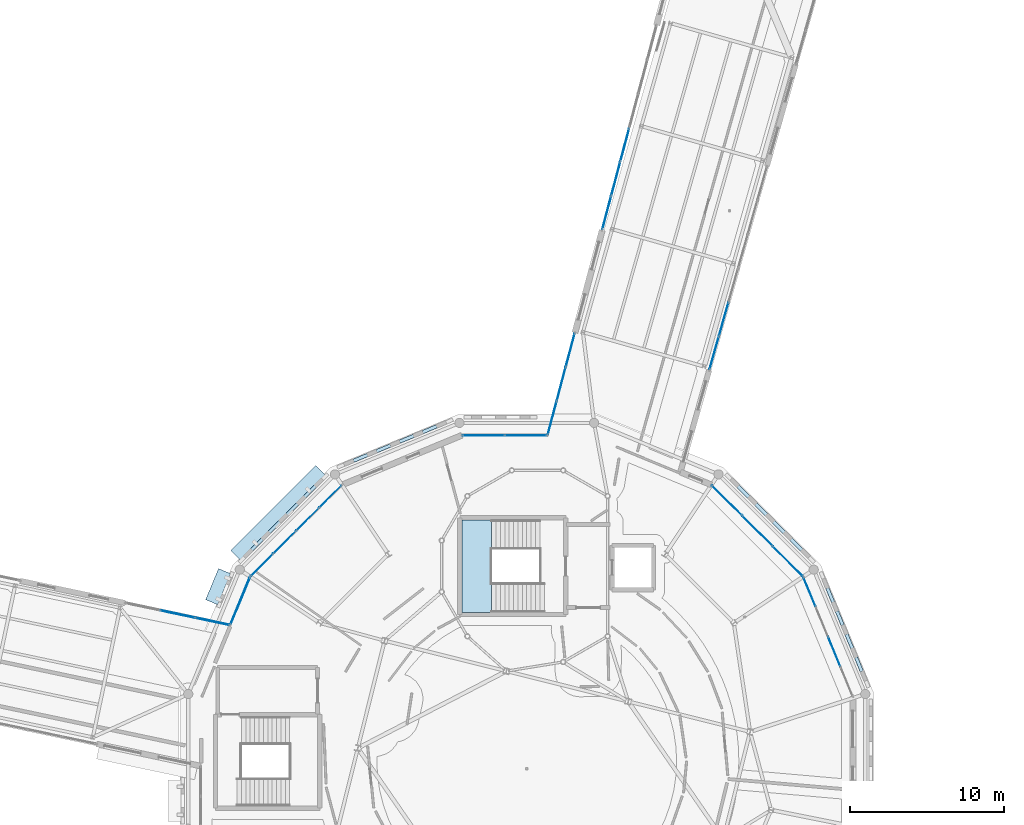
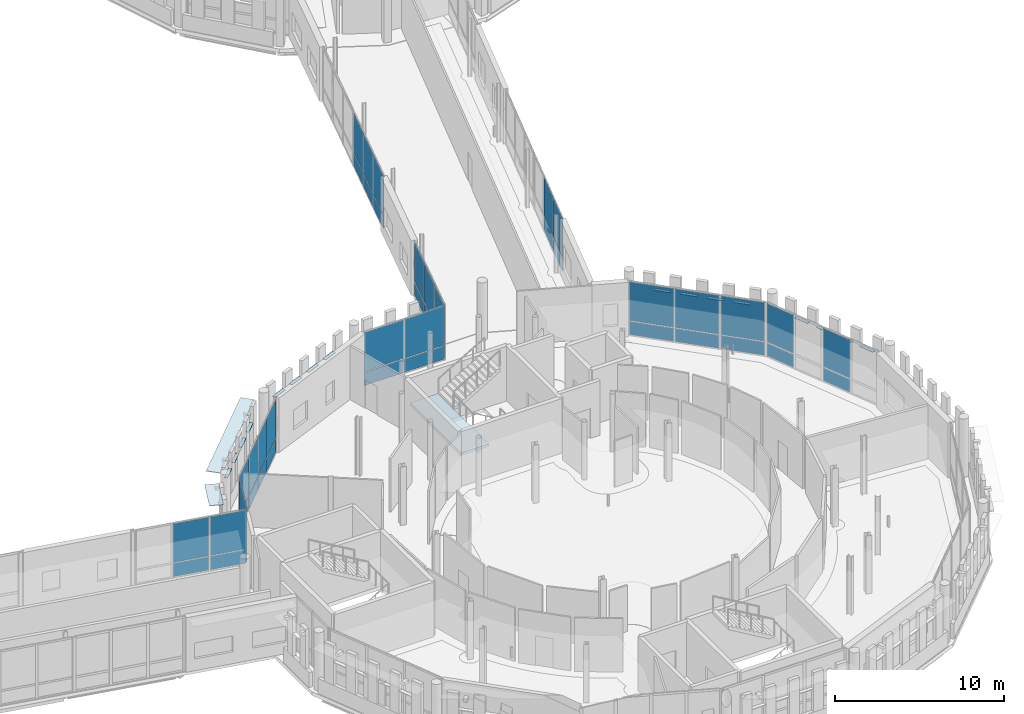
# One storey, part 80 of 125: 62 plates, 1 slab, 10 elements without a shape of their own.
"""IFC4 building model written with IfcOpenShell, lengths in metres."""

from ifc_helpers import new_model, si_unit, direction, frame, origin, origin_2d, place, context, subcontext, project, spatial, polyline, rectangle, outline, extrude, material, layer, layer_set, type_object, element, aggregate, save


model = new_model("IFC4")

# Units and contexts
model_context = context("Model", 3, precision=1e-05, world=origin(), true_north=direction((0.0, 1.0)))
body_context = subcontext(model_context, "Body", "Model", "MODEL_VIEW")
ifc_project = project(units=[si_unit("LENGTHUNIT", "METRE"), si_unit("AREAUNIT", "SQUARE_METRE"), si_unit("VOLUMEUNIT", "CUBIC_METRE"), si_unit("PLANEANGLEUNIT", "RADIAN"), si_unit("MASSUNIT", "GRAM", prefix="KILO")], contexts=[model_context])

# Site, building, storey
site_placement = place(None, origin())
site = spatial("IfcSite", under=ifc_project, at=site_placement, CompositionType="ELEMENT")
building_placement = place(site_placement, origin())
building = spatial("IfcBuilding", under=site, at=building_placement, Name="Wrenclough Park School", CompositionType="ELEMENT")
storey_placement = place(building_placement, frame((0.0, 0.0, 4.199951171875)))
storey = spatial("IfcBuildingStorey", under=building, at=storey_placement, Name="L01", CompositionType="ELEMENT", Elevation=4.199951171875)

# Curtain wall, plates
ifc_material_1 = material(Name="Thermally broken aluminium and low-e glass curtain wall", Category="aluminium")
curtain_wall_type_1 = type_object("IfcCurtainWallType", Name="ENV-CW-13", PredefinedType="USERDEFINED", material=ifc_material_1)
curtain_wall_1_placement = place(storey_placement, origin())
curtain_wall_1 = element("IfcCurtainWall", 1, at=curtain_wall_1_placement, inside=storey, type_object=curtain_wall_type_1, Name="L01 recessed curtain wall assembly 124", ObjectType="CURTAIN WALL", PredefinedType="USERDEFINED")
ifc_material_2 = material(Name="Double-glazed solar-control low-e glass", Category="glass")
ifc_layer_1 = layer(ifc_material_2, 0.02587890625)
ifc_layer_set_1 = layer_set([ifc_layer_1], Name="Double-glazed solar-control low-e glass")
plate_type_1 = type_object("IfcPlateType", Name="ENV-CWP-GL26", PredefinedType="CURTAIN_PANEL", material=ifc_layer_set_1)
plate_1_placement = place(storey_placement, frame((173.893798828125, 37.523193359375, 0.06494140625), z_axis=(0.0, 0.0, 1.0), x_axis=(0.382686670549, -0.923878191205, 0.0)))
plate_1 = element("IfcPlate", 2, at=plate_1_placement, type_object=plate_type_1, Name="CW-13 panel 1.1", PredefinedType="CURTAIN_PANEL", context=body_context, shape_type="SweptSolid", body=[
    extrude(rectangle(XDim=2.01025390625, YDim=0.02587890625, at=origin_2d()), origin(), (0.0, 0.0, 1.0), 0.952392578125),
])
plate_2_placement = place(storey_placement, frame((173.893798828125, 37.523193359375, 1.08251953125), z_axis=(0.0, 0.0, 1.0), x_axis=(0.382686670549, -0.923878191205, 0.0)))
plate_2 = element("IfcPlate", 3, at=plate_2_placement, type_object=plate_type_1, Name="CW-13 panel 1.2", PredefinedType="CURTAIN_PANEL", context=body_context, shape_type="SweptSolid", body=[
    extrude(rectangle(XDim=2.01025390625, YDim=0.02587890625, at=origin_2d()), origin(), (0.0, 0.0, 1.0), 2.79248046875),
])
plate_3_placement = place(storey_placement, frame((175.500732421875, 33.643798828125, 0.06494140625), z_axis=(0.0, 0.0, 1.0), x_axis=(0.382686670549, -0.923878191205, 0.0)))
plate_3 = element("IfcPlate", 4, at=plate_3_placement, type_object=plate_type_1, Name="CW-13 panel 3.1", PredefinedType="CURTAIN_PANEL", context=body_context, shape_type="SweptSolid", body=[
    extrude(rectangle(XDim=2.042724609375, YDim=0.02587890625, at=origin_2d()), origin(), (0.0, 0.0, 1.0), 0.952392578125),
])
plate_4_placement = place(storey_placement, frame((175.500732421875, 33.643798828125, 1.08251953125), z_axis=(0.0, 0.0, 1.0), x_axis=(0.382686670549, -0.923878191205, 0.0)))
plate_4 = element("IfcPlate", 5, at=plate_4_placement, type_object=plate_type_1, Name="CW-13 panel 3.2", PredefinedType="CURTAIN_PANEL", context=body_context, shape_type="SweptSolid", body=[
    extrude(rectangle(XDim=2.042724609375, YDim=0.02587890625, at=origin_2d()), origin(), (0.0, 0.0, 1.0), 2.79248046875),
])
aggregate(curtain_wall_1, [plate_1, plate_2, plate_3, plate_4])

curtain_wall_type_2 = type_object("IfcCurtainWallType", Name="ENV-CW-09", PredefinedType="USERDEFINED", material=ifc_material_1)
curtain_wall_2_placement = place(storey_placement, origin())
curtain_wall_2 = element("IfcCurtainWall", 6, at=curtain_wall_2_placement, inside=storey, type_object=curtain_wall_type_2, Name="L01 recessed curtain wall assembly 152", ObjectType="CURTAIN WALL", PredefinedType="USERDEFINED")
plate_5_placement = place(storey_placement, frame((138.277587890625, 39.27587890625, 0.06982421875), z_axis=(0.0, 0.0, 1.0), x_axis=(0.707106781187, 0.707106781187, 0.0)))
plate_5 = element("IfcPlate", 7, at=plate_5_placement, type_object=plate_type_1, Name="CW-09 panel 1.1", PredefinedType="CURTAIN_PANEL", context=body_context, shape_type="SweptSolid", body=[
    extrude(rectangle(XDim=2.002685546875, YDim=0.02587890625, at=origin_2d()), origin(), (0.0, 0.0, 1.0), 0.945068359375),
])
plate_6_placement = place(storey_placement, frame((138.277587890625, 39.27587890625, 1.0849609375), z_axis=(0.0, 0.0, 1.0), x_axis=(0.707106781187, 0.707106781187, 0.0)))
plate_6 = element("IfcPlate", 8, at=plate_6_placement, type_object=plate_type_1, Name="CW-09 panel 1.2", PredefinedType="CURTAIN_PANEL", context=body_context, shape_type="SweptSolid", body=[
    extrude(rectangle(XDim=2.002685546875, YDim=0.02587890625, at=origin_2d()), origin(), (0.0, 0.0, 1.0), 2.784912109375),
])
plate_7_placement = place(storey_placement, frame((139.755615234375, 40.75390625, 0.06982421875), z_axis=(0.0, 0.0, 1.0), x_axis=(0.707106781187, 0.707106781187, 0.0)))
plate_7 = element("IfcPlate", 9, at=plate_7_placement, type_object=plate_type_1, Name="CW-09 panel 2.1", PredefinedType="CURTAIN_PANEL", context=body_context, shape_type="SweptSolid", body=[
    extrude(rectangle(XDim=2.037841796875, YDim=0.02587890625, at=origin_2d()), origin(), (0.0, 0.0, 1.0), 0.945068359375),
])
plate_8_placement = place(storey_placement, frame((139.755615234375, 40.75390625, 1.0849609375), z_axis=(0.0, 0.0, 1.0), x_axis=(0.707106781187, 0.707106781187, 0.0)))
plate_8 = element("IfcPlate", 10, at=plate_8_placement, type_object=plate_type_1, Name="CW-09 panel 2.2", PredefinedType="CURTAIN_PANEL", context=body_context, shape_type="SweptSolid", body=[
    extrude(rectangle(XDim=2.037841796875, YDim=0.02587890625, at=origin_2d()), origin(), (0.0, 0.0, 1.0), 2.784912109375),
])
plate_9_placement = place(storey_placement, frame((141.24609375, 42.244384765625, 0.06982421875), z_axis=(0.0, 0.0, 1.0), x_axis=(0.707106781187, 0.707106781187, 0.0)))
plate_9 = element("IfcPlate", 11, at=plate_9_placement, type_object=plate_type_1, Name="CW-09 panel 3.1", PredefinedType="CURTAIN_PANEL", context=body_context, shape_type="SweptSolid", body=[
    extrude(rectangle(XDim=2.037841796875, YDim=0.02587890625, at=origin_2d()), origin(), (0.0, 0.0, 1.0), 0.945068359375),
])
plate_10_placement = place(storey_placement, frame((141.24609375, 42.244384765625, 1.0849609375), z_axis=(0.0, 0.0, 1.0), x_axis=(0.707106781187, 0.707106781187, 0.0)))
plate_10 = element("IfcPlate", 12, at=plate_10_placement, type_object=plate_type_1, Name="CW-09 panel 3.2", PredefinedType="CURTAIN_PANEL", context=body_context, shape_type="SweptSolid", body=[
    extrude(rectangle(XDim=2.037841796875, YDim=0.02587890625, at=origin_2d()), origin(), (0.0, 0.0, 1.0), 2.784912109375),
])
plate_11_placement = place(storey_placement, frame((142.72412109375, 43.722412109375, 0.06982421875), z_axis=(0.0, 0.0, 1.0), x_axis=(0.707106781187, 0.707106781187, 0.0)))
plate_11 = element("IfcPlate", 13, at=plate_11_placement, type_object=plate_type_1, Name="CW-09 panel 4.1", PredefinedType="CURTAIN_PANEL", context=body_context, shape_type="SweptSolid", body=[
    extrude(rectangle(XDim=2.002685546875, YDim=0.02587890625, at=origin_2d()), origin(), (0.0, 0.0, 1.0), 0.945068359375),
])
plate_12_placement = place(storey_placement, frame((142.72412109375, 43.722412109375, 1.0849609375), z_axis=(0.0, 0.0, 1.0), x_axis=(0.707106781187, 0.707106781187, 0.0)))
plate_12 = element("IfcPlate", 14, at=plate_12_placement, type_object=plate_type_1, Name="CW-09 panel 4.2", PredefinedType="CURTAIN_PANEL", context=body_context, shape_type="SweptSolid", body=[
    extrude(rectangle(XDim=2.002685546875, YDim=0.02587890625, at=origin_2d()), origin(), (0.0, 0.0, 1.0), 2.784912109375),
])
aggregate(curtain_wall_2, [plate_5, plate_6, plate_7, plate_8, plate_9, plate_10, plate_11, plate_12])

curtain_wall_type_3 = type_object("IfcCurtainWallType", Name="ENV-CW-10", PredefinedType="USERDEFINED", material=ifc_material_1)
curtain_wall_3_placement = place(storey_placement, origin())
curtain_wall_3 = element("IfcCurtainWall", 15, at=curtain_wall_3_placement, inside=storey, type_object=curtain_wall_type_3, Name="L01 recessed curtain wall assembly 153", ObjectType="CURTAIN WALL", PredefinedType="USERDEFINED")
ifc_material_3 = material(Name="Double-glazed acoustic low-e glass", Category="glass")
ifc_layer_2 = layer(ifc_material_3, 0.030029296875)
ifc_layer_set_2 = layer_set([ifc_layer_2], Name="Double-glazed acoustic low-e glass")
plate_type_2 = type_object("IfcPlateType", Name="ENV-CWP-GL30", PredefinedType="CURTAIN_PANEL", material=ifc_layer_set_2)
plate_13_placement = place(storey_placement, frame((152.692138671875, 47.712158203125, 0.06005859375), z_axis=(0.0, 0.0, 1.0), x_axis=(1.0, 0.0, 0.0)))
plate_13 = element("IfcPlate", 16, at=plate_13_placement, type_object=plate_type_2, Name="CW-10 panel 1.1", PredefinedType="CURTAIN_PANEL", context=body_context, shape_type="SweptSolid", body=[
    extrude(rectangle(XDim=2.695068359375, YDim=0.030029296875, at=origin_2d()), origin(), (0.0, 0.0, 1.0), 0.9599609375),
])
plate_14_placement = place(storey_placement, frame((152.692138671875, 47.712158203125, 1.080078125), z_axis=(0.0, 0.0, 1.0), x_axis=(1.0, 0.0, 0.0)))
plate_14 = element("IfcPlate", 17, at=plate_14_placement, type_object=plate_type_2, Name="CW-10 panel 1.2", PredefinedType="CURTAIN_PANEL", context=body_context, shape_type="SweptSolid", body=[
    extrude(rectangle(XDim=2.695068359375, YDim=0.030029296875, at=origin_2d()), origin(), (0.0, 0.0, 1.0), 2.800048828125),
])
plate_15_placement = place(storey_placement, frame((155.447265625, 47.712158203125, 0.06005859375), z_axis=(0.0, 0.0, 1.0), x_axis=(1.0, 0.0, 0.0)))
plate_15 = element("IfcPlate", 18, at=plate_15_placement, type_object=plate_type_2, Name="CW-10 panel 2.1", PredefinedType="CURTAIN_PANEL", context=body_context, shape_type="SweptSolid", body=[
    extrude(rectangle(XDim=2.695068359375, YDim=0.030029296875, at=origin_2d()), origin(), (0.0, 0.0, 1.0), 0.9599609375),
])
plate_16_placement = place(storey_placement, frame((155.447265625, 47.712158203125, 1.080078125), z_axis=(0.0, 0.0, 1.0), x_axis=(1.0, 0.0, 0.0)))
plate_16 = element("IfcPlate", 19, at=plate_16_placement, type_object=plate_type_2, Name="CW-10 panel 2.2", PredefinedType="CURTAIN_PANEL", context=body_context, shape_type="SweptSolid", body=[
    extrude(rectangle(XDim=2.695068359375, YDim=0.030029296875, at=origin_2d()), origin(), (0.0, 0.0, 1.0), 2.800048828125),
])
aggregate(curtain_wall_3, [plate_13, plate_14, plate_15, plate_16])

curtain_wall_type_4 = type_object("IfcCurtainWallType", Name="ENV-CW-11", PredefinedType="USERDEFINED", material=ifc_material_1)
curtain_wall_4_placement = place(storey_placement, origin())
curtain_wall_4 = element("IfcCurtainWall", 20, at=curtain_wall_4_placement, inside=storey, type_object=curtain_wall_type_4, Name="L01 recessed curtain wall assembly 122", ObjectType="CURTAIN WALL", PredefinedType="USERDEFINED")
ifc_material_4 = material(Name="Triple-glazed senior-lab low-e glass", Category="glass")
ifc_layer_3 = layer(ifc_material_4, 0.033935546875)
ifc_layer_set_3 = layer_set([ifc_layer_3], Name="Triple-glazed senior-lab low-e glass")
plate_type_3 = type_object("IfcPlateType", Name="ENV-CWP-GL34", PredefinedType="CURTAIN_PANEL", material=ifc_layer_set_3)
plate_17_placement = place(storey_placement, frame((168.31298828125, 55.26171875, 0.06982421875), z_axis=(0.0, 0.0, 1.0), x_axis=(-0.272808842354, -0.96206825929, 0.0)))
plate_17 = element("IfcPlate", 21, at=plate_17_placement, type_object=plate_type_3, Name="CW-11 panel 2.1", PredefinedType="CURTAIN_PANEL", context=body_context, shape_type="SweptSolid", body=[
    extrude(rectangle(XDim=2.2236328125, YDim=0.033935546875, at=origin_2d()), origin(), (0.0, 0.0, 1.0), 0.945068359375),
])
plate_18_placement = place(storey_placement, frame((168.31298828125, 55.26171875, 1.0849609375), z_axis=(0.0, 0.0, 1.0), x_axis=(-0.272808842354, -0.96206825929, 0.0)))
plate_18 = element("IfcPlate", 22, at=plate_18_placement, type_object=plate_type_3, Name="CW-11 panel 2.2", PredefinedType="CURTAIN_PANEL", context=body_context, shape_type="SweptSolid", body=[
    extrude(rectangle(XDim=2.2236328125, YDim=0.033935546875, at=origin_2d()), origin(), (0.0, 0.0, 1.0), 2.784912109375),
])
plate_19_placement = place(storey_placement, frame((167.692138671875, 53.07177734375, 0.06982421875), z_axis=(0.0, 0.0, 1.0), x_axis=(-0.272808842354, -0.96206825929, 0.0)))
plate_19 = element("IfcPlate", 23, at=plate_19_placement, type_object=plate_type_3, Name="CW-11 panel 3.1", PredefinedType="CURTAIN_PANEL", context=body_context, shape_type="SweptSolid", body=[
    extrude(rectangle(XDim=2.188720703125, YDim=0.033935546875, at=origin_2d()), origin(), (0.0, 0.0, 1.0), 0.945068359375),
])
plate_20_placement = place(storey_placement, frame((167.692138671875, 53.07177734375, 1.0849609375), z_axis=(0.0, 0.0, 1.0), x_axis=(-0.272808842354, -0.96206825929, 0.0)))
plate_20 = element("IfcPlate", 24, at=plate_20_placement, type_object=plate_type_3, Name="CW-11 panel 3.2", PredefinedType="CURTAIN_PANEL", context=body_context, shape_type="SweptSolid", body=[
    extrude(rectangle(XDim=2.188720703125, YDim=0.033935546875, at=origin_2d()), origin(), (0.0, 0.0, 1.0), 2.784912109375),
])
aggregate(curtain_wall_4, [plate_17, plate_18, plate_19, plate_20])

curtain_wall_5_placement = place(storey_placement, origin())
curtain_wall_5 = element("IfcCurtainWall", 25, at=curtain_wall_5_placement, inside=storey, type_object=curtain_wall_type_4, Name="L01 recessed curtain wall assembly 154", ObjectType="CURTAIN WALL", PredefinedType="USERDEFINED")
plate_21_placement = place(storey_placement, frame((157.158935546875, 48.842041015625, 0.06494140625), z_axis=(0.0, 0.0, 1.0), x_axis=(0.256896011105, 0.966439051093, 0.0)))
plate_21 = element("IfcPlate", 26, at=plate_21_placement, type_object=plate_type_3, Name="CW-11 panel 1.1", PredefinedType="CURTAIN_PANEL", context=body_context, shape_type="SweptSolid", body=[
    extrude(rectangle(XDim=2.2001953125, YDim=0.033935546875, at=origin_2d()), origin(), (0.0, 0.0, 1.0), 0.952392578125),
])
plate_22_placement = place(storey_placement, frame((157.158935546875, 48.842041015625, 1.08251953125), z_axis=(0.0, 0.0, 1.0), x_axis=(0.256896011105, 0.966439051093, 0.0)))
plate_22 = element("IfcPlate", 27, at=plate_22_placement, type_object=plate_type_3, Name="CW-11 panel 1.2", PredefinedType="CURTAIN_PANEL", context=body_context, shape_type="SweptSolid", body=[
    extrude(rectangle(XDim=2.2001953125, YDim=0.033935546875, at=origin_2d()), origin(), (0.0, 0.0, 1.0), 2.79248046875),
])
plate_23_placement = place(storey_placement, frame((157.7451171875, 51.047119140625, 0.06494140625), z_axis=(0.0, 0.0, 1.0), x_axis=(0.256896011105, 0.966439051093, 0.0)))
plate_23 = element("IfcPlate", 28, at=plate_23_placement, type_object=plate_type_3, Name="CW-11 panel 2.1", PredefinedType="CURTAIN_PANEL", context=body_context, shape_type="SweptSolid", body=[
    extrude(rectangle(XDim=2.23291015625, YDim=0.033935546875, at=origin_2d()), origin(), (0.0, 0.0, 1.0), 0.952392578125),
])
plate_24_placement = place(storey_placement, frame((157.7451171875, 51.047119140625, 1.08251953125), z_axis=(0.0, 0.0, 1.0), x_axis=(0.256896011105, 0.966439051093, 0.0)))
plate_24 = element("IfcPlate", 29, at=plate_24_placement, type_object=plate_type_3, Name="CW-11 panel 2.2", PredefinedType="CURTAIN_PANEL", context=body_context, shape_type="SweptSolid", body=[
    extrude(rectangle(XDim=2.23291015625, YDim=0.033935546875, at=origin_2d()), origin(), (0.0, 0.0, 1.0), 2.79248046875),
])
plate_25_placement = place(storey_placement, frame((158.331298828125, 53.251953125, 0.06494140625), z_axis=(0.0, 0.0, 1.0), x_axis=(0.256896011105, 0.966439051093, 0.0)))
plate_25 = element("IfcPlate", 30, at=plate_25_placement, type_object=plate_type_3, Name="CW-11 panel 3.1", PredefinedType="CURTAIN_PANEL", context=body_context, shape_type="SweptSolid", body=[
    extrude(rectangle(XDim=2.2001953125, YDim=0.033935546875, at=origin_2d()), origin(), (0.0, 0.0, 1.0), 0.952392578125),
])
plate_26_placement = place(storey_placement, frame((158.331298828125, 53.251953125, 1.08251953125), z_axis=(0.0, 0.0, 1.0), x_axis=(0.256896011105, 0.966439051093, 0.0)))
plate_26 = element("IfcPlate", 31, at=plate_26_placement, type_object=plate_type_3, Name="CW-11 panel 3.2", PredefinedType="CURTAIN_PANEL", context=body_context, shape_type="SweptSolid", body=[
    extrude(rectangle(XDim=2.2001953125, YDim=0.033935546875, at=origin_2d()), origin(), (0.0, 0.0, 1.0), 2.79248046875),
])
aggregate(curtain_wall_5, [plate_21, plate_22, plate_23, plate_24, plate_25, plate_26])

curtain_wall_type_5 = type_object("IfcCurtainWallType", Name="ENV-CW-12", PredefinedType="USERDEFINED", material=ifc_material_1)
curtain_wall_6_placement = place(storey_placement, origin())
curtain_wall_6 = element("IfcCurtainWall", 32, at=curtain_wall_6_placement, inside=storey, type_object=curtain_wall_type_5, Name="L01 recessed curtain wall assembly 123", ObjectType="CURTAIN WALL", PredefinedType="USERDEFINED")
ifc_material_5 = material(Name="Laminated sports-concourse safety glass", Category="glass")
ifc_layer_4 = layer(ifc_material_5, 0.0380859375)
ifc_layer_set_4 = layer_set([ifc_layer_4], Name="Laminated sports-concourse safety glass")
plate_type_4 = type_object("IfcPlateType", Name="ENV-CWP-GL38", PredefinedType="CURTAIN_PANEL", material=ifc_layer_set_4)
plate_27_placement = place(storey_placement, frame((168.522705078125, 43.475830078125, 0.06005859375), z_axis=(0.0, 0.0, 1.0), x_axis=(0.707106781187, -0.707106781187, 0.0)))
plate_27 = element("IfcPlate", 33, at=plate_27_placement, type_object=plate_type_4, Name="CW-12 panel 1.1", PredefinedType="CURTAIN_PANEL", context=body_context, shape_type="SweptSolid", body=[
    extrude(rectangle(XDim=2.72021484375, YDim=0.0380859375, at=origin_2d()), origin(), (0.0, 0.0, 1.0), 0.9599609375),
])
plate_28_placement = place(storey_placement, frame((168.522705078125, 43.475830078125, 1.080078125), z_axis=(0.0, 0.0, 1.0), x_axis=(0.707106781187, -0.707106781187, 0.0)))
plate_28 = element("IfcPlate", 34, at=plate_28_placement, type_object=plate_type_4, Name="CW-12 panel 1.2", PredefinedType="CURTAIN_PANEL", context=body_context, shape_type="SweptSolid", body=[
    extrude(rectangle(XDim=2.72021484375, YDim=0.0380859375, at=origin_2d()), origin(), (0.0, 0.0, 1.0), 2.800048828125),
])
plate_29_placement = place(storey_placement, frame((170.499267578125, 41.499267578125, 0.06005859375), z_axis=(0.0, 0.0, 1.0), x_axis=(0.707106781187, -0.707106781187, 0.0)))
plate_29 = element("IfcPlate", 35, at=plate_29_placement, type_object=plate_type_4, Name="CW-12 panel 2.1", PredefinedType="CURTAIN_PANEL", context=body_context, shape_type="SweptSolid", body=[
    extrude(rectangle(XDim=2.750244140625, YDim=0.0380859375, at=origin_2d()), origin(), (0.0, 0.0, 1.0), 0.9599609375),
])
plate_30_placement = place(storey_placement, frame((170.499267578125, 41.499267578125, 1.080078125), z_axis=(0.0, 0.0, 1.0), x_axis=(0.707106781187, -0.707106781187, 0.0)))
plate_30 = element("IfcPlate", 36, at=plate_30_placement, type_object=plate_type_4, Name="CW-12 panel 2.2", PredefinedType="CURTAIN_PANEL", context=body_context, shape_type="SweptSolid", body=[
    extrude(rectangle(XDim=2.750244140625, YDim=0.0380859375, at=origin_2d()), origin(), (0.0, 0.0, 1.0), 2.800048828125),
])
plate_31_placement = place(storey_placement, frame((172.475830078125, 39.522705078125, 0.06005859375), z_axis=(0.0, 0.0, 1.0), x_axis=(0.707106781187, -0.707106781187, 0.0)))
plate_31 = element("IfcPlate", 37, at=plate_31_placement, type_object=plate_type_4, Name="CW-12 panel 3.1", PredefinedType="CURTAIN_PANEL", context=body_context, shape_type="SweptSolid", body=[
    extrude(rectangle(XDim=2.72021484375, YDim=0.0380859375, at=origin_2d()), origin(), (0.0, 0.0, 1.0), 0.9599609375),
])
plate_32_placement = place(storey_placement, frame((172.475830078125, 39.522705078125, 1.080078125), z_axis=(0.0, 0.0, 1.0), x_axis=(0.707106781187, -0.707106781187, 0.0)))
plate_32 = element("IfcPlate", 38, at=plate_32_placement, type_object=plate_type_4, Name="CW-12 panel 3.2", PredefinedType="CURTAIN_PANEL", context=body_context, shape_type="SweptSolid", body=[
    extrude(rectangle(XDim=2.72021484375, YDim=0.0380859375, at=origin_2d()), origin(), (0.0, 0.0, 1.0), 2.800048828125),
])
aggregate(curtain_wall_6, [plate_27, plate_28, plate_29, plate_30, plate_31, plate_32])

curtain_wall_7_placement = place(storey_placement, origin())
curtain_wall_7 = element("IfcCurtainWall", 39, at=curtain_wall_7_placement, inside=storey, type_object=curtain_wall_type_5, Name="L01 recessed curtain wall assembly 155", ObjectType="CURTAIN WALL", PredefinedType="USERDEFINED")
plate_33_placement = place(storey_placement, frame((160.705078125, 62.182861328125, 0.06982421875), z_axis=(0.0, 0.0, 1.0), x_axis=(0.256882461871, 0.96644265261, 0.0)))
plate_33 = element("IfcPlate", 40, at=plate_33_placement, type_object=plate_type_4, Name="CW-12 panel 1.1", PredefinedType="CURTAIN_PANEL", context=body_context, shape_type="SweptSolid", body=[
    extrude(rectangle(XDim=2.19287109375, YDim=0.0380859375, at=origin_2d()), origin(), (0.0, 0.0, 1.0), 0.945068359375),
])
plate_34_placement = place(storey_placement, frame((160.705078125, 62.182861328125, 1.0849609375), z_axis=(0.0, 0.0, 1.0), x_axis=(0.256882461871, 0.96644265261, 0.0)))
plate_34 = element("IfcPlate", 41, at=plate_34_placement, type_object=plate_type_4, Name="CW-12 panel 1.2", PredefinedType="CURTAIN_PANEL", context=body_context, shape_type="SweptSolid", body=[
    extrude(rectangle(XDim=2.19287109375, YDim=0.0380859375, at=origin_2d()), origin(), (0.0, 0.0, 1.0), 2.784912109375),
])
plate_35_placement = place(storey_placement, frame((161.291015625, 64.38671875, 0.06982421875), z_axis=(0.0, 0.0, 1.0), x_axis=(0.256882461871, 0.96644265261, 0.0)))
plate_35 = element("IfcPlate", 42, at=plate_35_placement, type_object=plate_type_4, Name="CW-12 panel 2.1", PredefinedType="CURTAIN_PANEL", context=body_context, shape_type="SweptSolid", body=[
    extrude(rectangle(XDim=2.227783203125, YDim=0.0380859375, at=origin_2d()), origin(), (0.0, 0.0, 1.0), 0.945068359375),
])
plate_36_placement = place(storey_placement, frame((161.291015625, 64.38671875, 1.0849609375), z_axis=(0.0, 0.0, 1.0), x_axis=(0.256882461871, 0.96644265261, 0.0)))
plate_36 = element("IfcPlate", 43, at=plate_36_placement, type_object=plate_type_4, Name="CW-12 panel 2.2", PredefinedType="CURTAIN_PANEL", context=body_context, shape_type="SweptSolid", body=[
    extrude(rectangle(XDim=2.227783203125, YDim=0.0380859375, at=origin_2d()), origin(), (0.0, 0.0, 1.0), 2.784912109375),
])
plate_37_placement = place(storey_placement, frame((161.876708984375, 66.590576171875, 0.06982421875), z_axis=(0.0, 0.0, 1.0), x_axis=(0.256882461871, 0.96644265261, 0.0)))
plate_37 = element("IfcPlate", 44, at=plate_37_placement, type_object=plate_type_4, Name="CW-12 panel 3.1", PredefinedType="CURTAIN_PANEL", context=body_context, shape_type="SweptSolid", body=[
    extrude(rectangle(XDim=2.19287109375, YDim=0.0380859375, at=origin_2d()), origin(), (0.0, 0.0, 1.0), 0.945068359375),
])
plate_38_placement = place(storey_placement, frame((161.876708984375, 66.590576171875, 1.0849609375), z_axis=(0.0, 0.0, 1.0), x_axis=(0.256882461871, 0.96644265261, 0.0)))
plate_38 = element("IfcPlate", 45, at=plate_38_placement, type_object=plate_type_4, Name="CW-12 panel 3.2", PredefinedType="CURTAIN_PANEL", context=body_context, shape_type="SweptSolid", body=[
    extrude(rectangle(XDim=2.19287109375, YDim=0.0380859375, at=origin_2d()), origin(), (0.0, 0.0, 1.0), 2.784912109375),
])
aggregate(curtain_wall_7, [plate_33, plate_34, plate_35, plate_36, plate_37, plate_38])

curtain_wall_type_6 = type_object("IfcCurtainWallType", Name="ENV-CW-07", PredefinedType="USERDEFINED", material=ifc_material_1)
curtain_wall_8_placement = place(storey_placement, origin())
curtain_wall_8 = element("IfcCurtainWall", 46, at=curtain_wall_8_placement, inside=storey, type_object=curtain_wall_type_6, Name="L01 recessed curtain wall assembly 150", ObjectType="CURTAIN WALL", PredefinedType="USERDEFINED")
ifc_material_6 = material(Name="Insulated patinated copper-toned spandrel panel", Category="aluminium")
ifc_layer_5 = layer(ifc_material_6, 0.048095703125)
ifc_layer_set_5 = layer_set([ifc_layer_5], Name="Insulated patinated copper-toned spandrel panel")
plate_type_5 = type_object("IfcPlateType", Name="ENV-CWP-SP48", PredefinedType="CURTAIN_PANEL", material=ifc_layer_set_5)
plate_39_placement = place(storey_placement, frame((132.795654296875, 36.082763671875, 0.06005859375), z_axis=(0.0, 0.0, 1.0), x_axis=(0.978379013086, -0.206819986347, 0.0)))
plate_39 = element("IfcPlate", 47, at=plate_39_placement, type_object=plate_type_5, Name="CW-07 panel 2.1", PredefinedType="CURTAIN_PANEL", context=body_context, shape_type="SweptSolid", body=[
    extrude(rectangle(XDim=2.26416015625, YDim=0.048095703125, at=origin_2d()), origin(), (0.0, 0.0, 1.0), 0.9599609375),
])
plate_40_placement = place(storey_placement, frame((132.795654296875, 36.082763671875, 1.080078125), z_axis=(0.0, 0.0, 1.0), x_axis=(0.978379013086, -0.206819986347, 0.0)))
plate_40 = element("IfcPlate", 48, at=plate_40_placement, type_object=plate_type_5, Name="CW-07 panel 2.2", PredefinedType="CURTAIN_PANEL", context=body_context, shape_type="SweptSolid", body=[
    extrude(rectangle(XDim=2.26416015625, YDim=0.048095703125, at=origin_2d()), origin(), (0.0, 0.0, 1.0), 2.800048828125),
])
plate_41_placement = place(storey_placement, frame((135.054931640625, 35.605224609375, 0.06005859375), z_axis=(0.0, 0.0, 1.0), x_axis=(0.978379013086, -0.206819986347, 0.0)))
plate_41 = element("IfcPlate", 49, at=plate_41_placement, type_object=plate_type_5, Name="CW-07 panel 3.1", PredefinedType="CURTAIN_PANEL", context=body_context, shape_type="SweptSolid", body=[
    extrude(rectangle(XDim=2.234130859375, YDim=0.048095703125, at=origin_2d()), origin(), (0.0, 0.0, 1.0), 0.9599609375),
])
plate_42_placement = place(storey_placement, frame((135.054931640625, 35.605224609375, 1.080078125), z_axis=(0.0, 0.0, 1.0), x_axis=(0.978379013086, -0.206819986347, 0.0)))
plate_42 = element("IfcPlate", 50, at=plate_42_placement, type_object=plate_type_5, Name="CW-07 panel 3.2", PredefinedType="CURTAIN_PANEL", context=body_context, shape_type="SweptSolid", body=[
    extrude(rectangle(XDim=2.234130859375, YDim=0.048095703125, at=origin_2d()), origin(), (0.0, 0.0, 1.0), 2.800048828125),
])
aggregate(curtain_wall_8, [plate_39, plate_40, plate_41, plate_42])

curtain_wall_type_7 = type_object("IfcCurtainWallType", Name="ENV-CW-08", PredefinedType="USERDEFINED", material=ifc_material_1)
curtain_wall_9_placement = place(storey_placement, origin())
curtain_wall_9 = element("IfcCurtainWall", 51, at=curtain_wall_9_placement, inside=storey, type_object=curtain_wall_type_7, Name="L01 recessed curtain wall assembly 151", ObjectType="CURTAIN WALL", PredefinedType="USERDEFINED")
ifc_material_7 = material(Name="Acoustic mineral-wool spandrel cassette", Category="aluminium")
ifc_layer_6 = layer(ifc_material_7, 0.053955078125)
ifc_layer_set_6 = layer_set([ifc_layer_6], Name="Acoustic mineral-wool spandrel cassette")
plate_type_6 = type_object("IfcPlateType", Name="ENV-CWP-SP54", PredefinedType="CURTAIN_PANEL", material=ifc_layer_set_6)
plate_43_placement = place(storey_placement, frame((136.86376953125, 36.938232421875, 0.06494140625), z_axis=(0.0, 0.0, 1.0), x_axis=(0.382719926497, 0.923864415303, 0.0)))
plate_43 = element("IfcPlate", 52, at=plate_43_placement, type_object=plate_type_6, Name="CW-08 panel 1.1", PredefinedType="CURTAIN_PANEL", context=body_context, shape_type="SweptSolid", body=[
    extrude(rectangle(XDim=3.276611328125, YDim=0.053955078125, at=origin_2d()), origin(), (0.0, 0.0, 1.0), 0.952392578125),
])
plate_44_placement = place(storey_placement, frame((136.86376953125, 36.938232421875, 1.08251953125), z_axis=(0.0, 0.0, 1.0), x_axis=(0.382719926497, 0.923864415303, 0.0)))
plate_44 = element("IfcPlate", 53, at=plate_44_placement, type_object=plate_type_6, Name="CW-08 panel 1.2", PredefinedType="CURTAIN_PANEL", context=body_context, shape_type="SweptSolid", body=[
    extrude(rectangle(XDim=3.276611328125, YDim=0.053955078125, at=origin_2d()), origin(), (0.0, 0.0, 1.0), 2.79248046875),
])
aggregate(curtain_wall_9, [plate_43, plate_44])

# Plates
ifc_material_8 = material(Name="Anodised architectural aluminium solar shading fin plate", Category="aluminium")
ifc_layer_7 = layer(ifc_material_8, 0.0380859375)
ifc_layer_set_7 = layer_set([ifc_layer_7], Name="Anodised architectural aluminium solar shading fin plate")
plate_type_7 = type_object("IfcPlateType", Name="ENV-PL-BSF", PredefinedType="SHEET", material=ifc_layer_set_7)
for number, where, z_axis, x_axis, name in (
    (54, (177.10791015625, 32.810546875, 2.72216796875), (0.0, 0.0, 1.0), (-0.382692183809, 0.923875907496, 0.0), "D1 L01 open-bond brick screen tie band 0121"),
    (55, (176.485595703125, 34.312744140625, 2.72216796875), (0.0, 0.0, 1.0), (-0.382692183809, 0.923875907496, 0.0), "D1 L01 open-bond brick screen tie band 0122"),
    (56, (175.863525390625, 35.81494140625, 2.72216796875), (0.0, 0.0, 1.0), (-0.382692183809, 0.923875907496, 0.0), "D1 L01 open-bond brick screen tie band 0123"),
    (57, (175.2412109375, 37.317138671875, 2.72216796875), (0.0, 0.0, 1.0), (-0.382692183809, 0.923875907496, 0.0), "D1 L01 open-bond brick screen tie band 0124"),
):
    element("IfcPlate", number, at=place(storey_placement, frame(where, z_axis=z_axis, x_axis=x_axis)), inside=storey, type_object=plate_type_7, Name=name, PredefinedType="SHEET", context=body_context, shape_type="SweptSolid", body=[
        extrude(rectangle(XDim=0.992919921875, YDim=0.219970703125, at=origin_2d()), origin(), (0.0, 0.0, 1.0), 0.0419921875),
    ])
for number, where, z_axis, x_axis, name in (
    (58, (173.04833984375, 40.59912109375, 2.72216796875), (0.0, 0.0, 1.0), (-0.707106781187, 0.707106781187, 0.0), "D1 L01 open-bond brick screen tie band 0125"),
    (59, (171.898681640625, 41.74853515625, 2.72216796875), (0.0, 0.0, 1.0), (-0.707106781187, 0.707106781187, 0.0), "D1 L01 open-bond brick screen tie band 0126"),
    (60, (170.7490234375, 42.898193359375, 2.72216796875), (0.0, 0.0, 1.0), (-0.707106781187, 0.707106781187, 0.0), "D1 L01 open-bond brick screen tie band 0127"),
    (61, (169.599609375, 44.0478515625, 2.72216796875), (0.0, 0.0, 1.0), (-0.707106781187, 0.707106781187, 0.0), "D1 L01 open-bond brick screen tie band 0128"),
):
    element("IfcPlate", number, at=place(storey_placement, frame(where, z_axis=z_axis, x_axis=x_axis)), inside=storey, type_object=plate_type_7, Name=name, PredefinedType="SHEET", context=body_context, shape_type="SweptSolid", body=[
        extrude(rectangle(XDim=0.99267578125, YDim=0.219970703125, at=origin_2d()), origin(), (0.0, 0.0, 1.0), 0.0419921875),
    ])
plate_45_placement = place(storey_placement, frame((149.189208984375, 48.10791015625, 2.72216796875), z_axis=(0.0, 0.0, 1.0), x_axis=(-0.923876962826, -0.382689636076, 0.0)))
element("IfcPlate", 62, at=plate_45_placement, inside=storey, type_object=plate_type_7, Name="D1 L01 open-bond brick screen tie band 0131", PredefinedType="SHEET", context=body_context, shape_type="SweptSolid", body=[
    extrude(rectangle(XDim=0.9931640625, YDim=0.219970703125, at=origin_2d()), origin(), (0.0, 0.0, 1.0), 0.0419921875),
])
for number, where, z_axis, x_axis, name in (
    (63, (147.68701171875, 47.485595703125, 2.72216796875), (0.0, 0.0, 1.0), (-0.923876962826, -0.382689636076, 0.0), "D1 L01 open-bond brick screen tie band 0132"),
    (64, (146.184814453125, 46.863525390625, 2.72216796875), (0.0, 0.0, 1.0), (-0.923876962826, -0.382689636076, 0.0), "D1 L01 open-bond brick screen tie band 0133"),
):
    element("IfcPlate", number, at=place(storey_placement, frame(where, z_axis=z_axis, x_axis=x_axis)), inside=storey, type_object=plate_type_7, Name=name, PredefinedType="SHEET", context=body_context, shape_type="SweptSolid", body=[
        extrude(rectangle(XDim=0.992919921875, YDim=0.219970703125, at=origin_2d()), origin(), (0.0, 0.0, 1.0), 0.0419921875),
    ])
plate_46_placement = place(storey_placement, frame((144.6826171875, 46.2412109375, 2.72216796875), z_axis=(0.0, 0.0, 1.0), x_axis=(-0.923876962826, -0.382689636076, 0.0)))
element("IfcPlate", 65, at=plate_46_placement, inside=storey, type_object=plate_type_7, Name="D1 L01 open-bond brick screen tie band 0134", PredefinedType="SHEET", context=body_context, shape_type="SweptSolid", body=[
    extrude(rectangle(XDim=0.9931640625, YDim=0.219970703125, at=origin_2d()), origin(), (0.0, 0.0, 1.0), 0.0419921875),
])
for number, where, z_axis, x_axis, name in (
    (66, (141.400390625, 44.0478515625, 2.72216796875), (0.0, 0.0, 1.0), (-0.707106781187, -0.707106781187, 0.0), "D1 L01 open-bond brick screen tie band 0135"),
    (67, (140.2509765625, 42.898193359375, 2.72216796875), (0.0, 0.0, 1.0), (-0.707106781187, -0.707106781187, 0.0), "D1 L01 open-bond brick screen tie band 0136"),
    (68, (139.101318359375, 41.74853515625, 2.72216796875), (0.0, 0.0, 1.0), (-0.707106781187, -0.707106781187, 0.0), "D1 L01 open-bond brick screen tie band 0137"),
    (69, (137.95166015625, 40.59912109375, 2.72216796875), (0.0, 0.0, 1.0), (-0.707106781187, -0.707106781187, 0.0), "D1 L01 open-bond brick screen tie band 0138"),
):
    element("IfcPlate", number, at=place(storey_placement, frame(where, z_axis=z_axis, x_axis=x_axis)), inside=storey, type_object=plate_type_7, Name=name, PredefinedType="SHEET", context=body_context, shape_type="SweptSolid", body=[
        extrude(rectangle(XDim=0.99267578125, YDim=0.219970703125, at=origin_2d()), origin(), (0.0, 0.0, 1.0), 0.0419921875),
    ])
plate_47_placement = place(storey_placement, frame((139.310302734375, 42.689208984375, 3.700927734375), z_axis=(0.0, 0.0, 1.0), x_axis=(-0.707106781187, -0.707106781187, 0.0)))
element("IfcPlate", 70, at=plate_47_placement, inside=storey, type_object=plate_type_7, Name="D1 L01 sun-side projecting brise-soleil blade 0001", PredefinedType="SHEET", context=body_context, shape_type="SweptSolid", body=[
    extrude(rectangle(XDim=7.828857421875, YDim=0.85009765625, at=origin_2d()), origin(), (0.0, 0.0, 1.0), 0.0380859375),
])
plate_48_placement = place(storey_placement, frame((135.42626953125, 37.86669921875, 3.700927734375), z_axis=(0.0, 0.0, 1.0), x_axis=(-0.382679144648, -0.92388130853, 0.0)))
element("IfcPlate", 71, at=plate_48_placement, inside=storey, type_object=plate_type_7, Name="D1 L01 sun-side projecting brise-soleil blade 0002", PredefinedType="SHEET", context=body_context, shape_type="SweptSolid", body=[
    extrude(rectangle(XDim=2.191162109375, YDim=0.85009765625, at=origin_2d()), origin(), (0.0, 0.0, 1.0), 0.0380859375),
])

# Stair, slab
ifc_material_9 = material(Name="Precast concrete C40/50", Category="concrete")
stair_type = type_object("IfcStairType", Name="INT-ST-190-42", PredefinedType="HALF_TURN_STAIR", material=ifc_material_9)
stair_placement = place(storey_placement, origin())
stair = element("IfcStair", 72, at=stair_placement, inside=storey, type_object=stair_type, Name="L01 escape stair ST-01", PredefinedType="HALF_TURN_STAIR")
ifc_layer_8 = layer(ifc_material_9, 0.195068359375)
ifc_layer_set_8 = layer_set([ifc_layer_8], Name="Precast concrete C40/50")
slab_type = type_object("IfcSlabType", Name="INT-SL-LAND195", PredefinedType="LANDING", material=ifc_layer_set_8)
slab_placement = place(storey_placement, frame((0.0, 0.0, 1.989013671875)))
slab = element("IfcSlab", 73, at=slab_placement, type_object=slab_type, Name="ST-01 landing 1", PredefinedType="LANDING", context=body_context, shape_type="SweptSolid", body=[
    extrude(outline(polyline([(151.300048828125, 36.199951171875), (153.222900390625, 36.199951171875), (153.222900390625, 42.199951171875), (151.300048828125, 42.199951171875), (151.300048828125, 36.199951171875)])), origin(), (0.0, 0.0, 1.0), 0.195068359375),
])
aggregate(stair, [slab])

save(model, "model.ifc")
